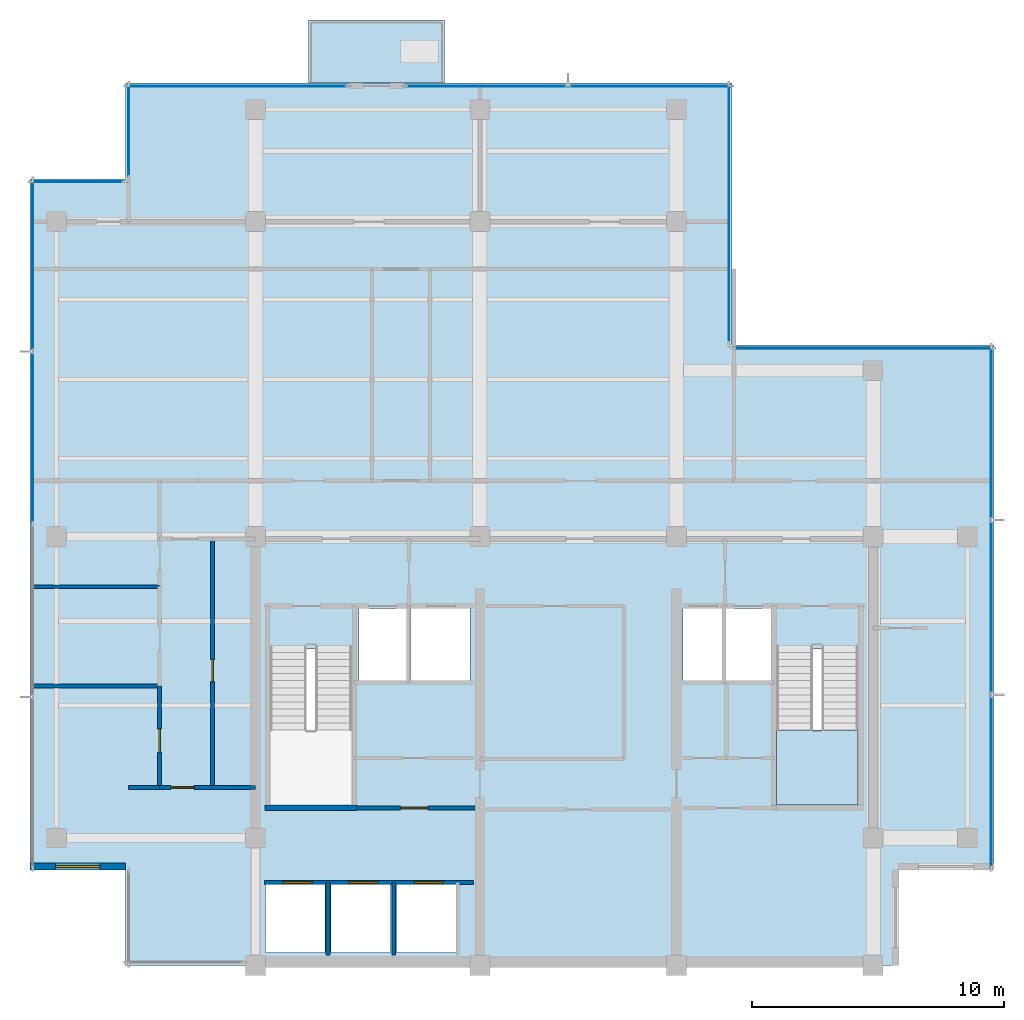
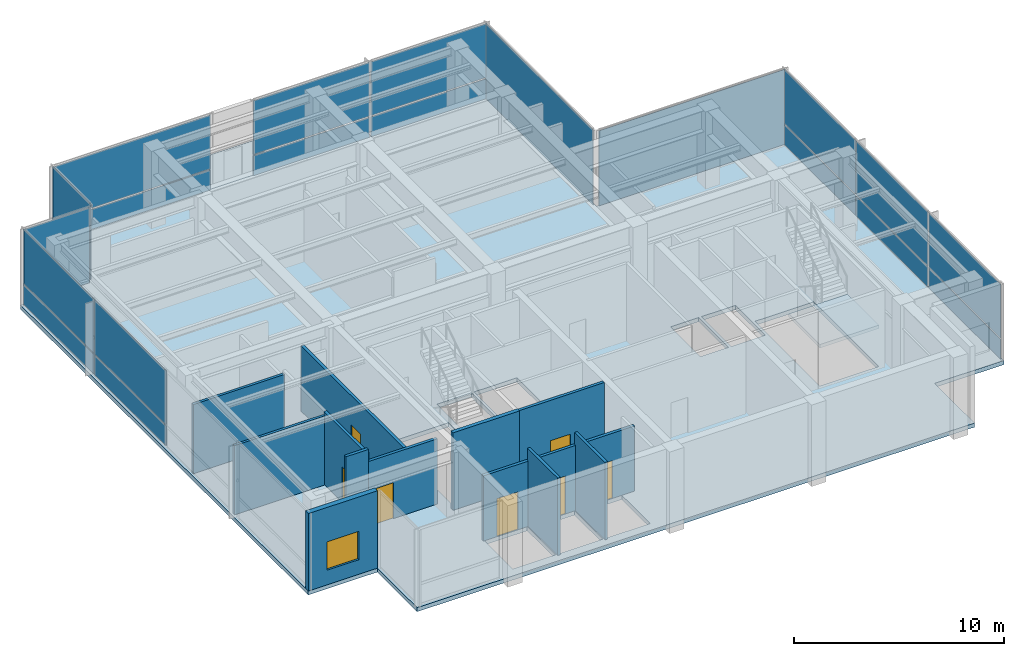
# One storey, part 5 of 11: 20 plates, 12 walls, 7 doors, 3 slabs, 1 window, 8 openings, 9 elements without a shape of their own.
"""IFC4 building model written with IfcOpenShell, lengths in metres."""

import ifcopenshell
import ifcopenshell.guid

model = None  # the IFC model being written
_history = None  # IfcOwnerHistory: only IFC2X3 demands one
_inside = {}  # id of a spatial element -> (the spatial element, [elements in it])
_under = {}  # id of a project, library or spatial element -> (it, [spatial elements below it])
_declared = {}  # id of a project -> (the project, [libraries it declares])
_typed = {}  # id of a type object -> (the type object, [elements of that type])
_made_of = {}  # id of a material, layer set ... -> (it, [elements and type objects made of it])


def new_model(schema):
    """Start an empty IFC model of exactly this schema.

    Asked for "IFC4X3", IfcOpenShell would pick the latest addendum, in which some entities
    have other attributes; the version numbers below select the first issue.
    IFC2X3 requires an IfcOwnerHistory on every rooted entity: one is made here for all.
    """
    global model, _history
    if schema == "IFC4X3":
        model = ifcopenshell.file(schema_version=(4, 3, 0, 0))
    else:
        model = ifcopenshell.file(schema=schema)
    _inside.clear()
    _under.clear()
    _declared.clear()
    _typed.clear()
    _made_of.clear()
    _history = None
    if model.schema == "IFC2X3":
        org = make("IfcOrganization", Name="unknown")
        user = make(
            "IfcPersonAndOrganization",
            ThePerson=make("IfcPerson", FamilyName="unknown"),
            TheOrganization=org,
        )
        app = make(
            "IfcApplication",
            ApplicationDeveloper=org,
            Version="unknown",
            ApplicationFullName="unknown",
            ApplicationIdentifier="unknown",
        )
        _history = make(
            "IfcOwnerHistory",
            OwningUser=user,
            OwningApplication=app,
            ChangeAction="ADDED",
            CreationDate=0,
        )
    return model


def make(cls, **values):
    """One entity of the class cls with the attributes given. An attribute that is None is left unset."""
    return model.create_entity(
        cls, **{name: value for name, value in values.items() if value is not None}
    )


def rooted(cls, **values):
    """An entity with a GlobalId (a new one), such as an element, a storey or a relation."""
    return make(cls, GlobalId=ifcopenshell.guid.new(), OwnerHistory=_history, **values)


def si_unit(unit_type, name, prefix=None):
    """IfcSIUnit, for example si_unit("LENGTHUNIT", "METRE", prefix="MILLI")."""
    return make("IfcSIUnit", UnitType=unit_type, Prefix=prefix, Name=name)


def assignment(units):
    """IfcUnitAssignment: the units of a project."""
    return None if units is None else make("IfcUnitAssignment", Units=units)


def point(xyz):
    """IfcCartesianPoint."""
    return None if xyz is None else make("IfcCartesianPoint", Coordinates=xyz)


def direction(xyz):
    """IfcDirection."""
    return None if xyz is None else make("IfcDirection", DirectionRatios=xyz)


def frame(location, z_axis=None, x_axis=None):
    """IfcAxis2Placement3D, a coordinate frame: its origin and axes. An axis left out is left unset."""
    return make(
        "IfcAxis2Placement3D",
        Location=point(location),
        Axis=direction(z_axis),
        RefDirection=direction(x_axis),
    )


def frame_2d(location, x_axis=None):
    """IfcAxis2Placement2D, a coordinate frame in the plane: its origin and x axis."""
    return make(
        "IfcAxis2Placement2D", Location=point(location), RefDirection=direction(x_axis)
    )


def origin():
    """The frame at (0, 0, 0) with its axes left unset."""
    return frame((0.0, 0.0, 0.0))


def origin_2d():
    """The frame at (0, 0) in the plane with its x axis left unset."""
    return frame_2d((0.0, 0.0))


def place(relative_to, where):
    """IfcLocalPlacement: puts the frame where relative to a parent placement (None: the world)."""
    return make(
        "IfcLocalPlacement", PlacementRelTo=relative_to, RelativePlacement=where
    )


def context(
    kind, dimensions, precision=None, world=None, true_north=None, identifier=None
):
    """IfcGeometricRepresentationContext, for example the 3D "Model" context."""
    return make(
        "IfcGeometricRepresentationContext",
        ContextIdentifier=identifier,
        ContextType=kind,
        CoordinateSpaceDimension=dimensions,
        Precision=precision,
        WorldCoordinateSystem=world,
        TrueNorth=true_north,
    )


def subcontext(parent, identifier, kind, view, scale=None):
    """IfcGeometricRepresentationSubContext, for example "Body" below "Model"."""
    return make(
        "IfcGeometricRepresentationSubContext",
        ContextIdentifier=identifier,
        ContextType=kind,
        ParentContext=parent,
        TargetScale=scale,
        TargetView=view,
    )


def project(units=None, contexts=None):
    """IfcProject with its units and contexts."""
    return rooted(
        "IfcProject",
        Name="project",
        RepresentationContexts=contexts,
        UnitsInContext=assignment(units),
    )


def spatial(cls, under=None, at=None, **own):
    """A site, building, storey or space (cls), placed at a placement, below another one or the project."""
    s = rooted(cls, ObjectPlacement=at, **own)
    if under is not None:
        _under.setdefault(under.id(), (under, []))[1].append(s)
    return s


def polyline(points):
    """IfcPolyline through the points."""
    return make("IfcPolyline", Points=[point(p) for p in points])


def profile(cls, at=None, kind="AREA", **sizes):
    """A parametric profile (cls). Its sizes go by their IFC names, for example OverallWidth=200.0."""
    return make(cls, ProfileType=kind, Position=at, **sizes)


def rectangle(**sizes):
    """IfcRectangleProfileDef."""
    return profile("IfcRectangleProfileDef", **sizes)


def outline(outer, holes=None, kind="AREA"):
    """IfcArbitraryClosedProfileDef: a profile drawn as a closed curve; with holes, ...WithVoids."""
    if holes is None:
        return make("IfcArbitraryClosedProfileDef", ProfileType=kind, OuterCurve=outer)
    return make(
        "IfcArbitraryProfileDefWithVoids",
        ProfileType=kind,
        OuterCurve=outer,
        InnerCurves=holes,
    )


def extrude(swept, where, along, depth):
    """IfcExtrudedAreaSolid: the profile swept, set in the frame where, extruded along a direction by depth."""
    return make(
        "IfcExtrudedAreaSolid",
        SweptArea=swept,
        Position=where,
        ExtrudedDirection=direction(along),
        Depth=depth,
    )


def shape(context_of_items, identifier, shape_type, items):
    """IfcShapeRepresentation: the items that make up one representation, for example the "Body"."""
    return make(
        "IfcShapeRepresentation",
        ContextOfItems=context_of_items,
        RepresentationIdentifier=identifier,
        RepresentationType=shape_type,
        Items=items,
    )


def material(Name=None, Category=None):
    """IfcMaterial."""
    return make("IfcMaterial", Name=Name, Category=Category)


def layer(
    of_material, thickness, ventilated=None, Name=None, Category=None, Priority=None
):
    """IfcMaterialLayer: one layer of a wall or slab, of a material (None: an air gap)."""
    return make(
        "IfcMaterialLayer",
        Material=of_material,
        LayerThickness=thickness,
        IsVentilated=ventilated,
        Name=Name,
        Category=Category,
        Priority=Priority,
    )


def layer_set(layers, Name=None):
    """IfcMaterialLayerSet."""
    return make("IfcMaterialLayerSet", MaterialLayers=layers, LayerSetName=Name)


def made_of(thing, what):
    """Note that an element or type object is made of a material, layer set ...; save() writes the relation."""
    if what is not None:
        _made_of.setdefault(what.id(), (what, []))[1].append(thing)
    return thing


def type_object(cls, material=None, **own):
    """A type object (cls), such as IfcWallType, which elements share."""
    return made_of(rooted(cls, **own), material)


def element(
    cls,
    number,
    at=None,
    inside=None,
    cuts=None,
    type_object=None,
    material=None,
    context=None,
    identifier="Body",
    shape_type=None,
    held_by="IfcProductDefinitionShape",
    body=None,
    shapes=None,
    **own,
):
    """One element of the class cls, such as IfcWall. Its Tag is "e" and its number.

    at: its placement. inside: the storey or other place that contains it. cuts: it is an
    opening in that element (IfcRelVoidsElement). A single representation is given by context,
    identifier, shape_type and body (its items); several are given by shapes. held_by: the class
    of the entity that holds the representations. save() writes the other relations.
    """
    e = rooted(cls, Tag="e%d" % number, ObjectPlacement=at, **own)
    if body is not None:
        shapes = [shape(context, identifier, shape_type, body)]
    if shapes is not None:
        e.Representation = make(held_by, Representations=shapes)
    if inside is not None:
        _inside.setdefault(inside.id(), (inside, []))[1].append(e)
    if cuts is not None:
        rooted(
            "IfcRelVoidsElement", RelatingBuildingElement=cuts, RelatedOpeningElement=e
        )
    if type_object is not None:
        _typed.setdefault(type_object.id(), (type_object, []))[1].append(e)
    return made_of(e, material)


def fill(opening, filler):
    """IfcRelFillsElement: the door or window that sits in an opening."""
    return rooted(
        "IfcRelFillsElement",
        RelatingOpeningElement=opening,
        RelatedBuildingElement=filler,
    )


def aggregate(whole, parts):
    """IfcRelAggregates: a whole, such as a stair, and the parts it consists of."""
    return rooted("IfcRelAggregates", RelatingObject=whole, RelatedObjects=parts)


def save(model, path):
    """Write the relations noted so far, then the file.

    IfcRelAggregates (storeys below a building ...), IfcRelContainedInSpatialStructure (elements
    in a storey), IfcRelDefinesByType, IfcRelAssociatesMaterial and IfcRelDeclares: one each for
    every whole, place, type object, material and project.
    """
    for whole, parts in _under.values():
        aggregate(whole, parts)
    for where, things in _inside.values():
        rooted(
            "IfcRelContainedInSpatialStructure",
            RelatedElements=things,
            RelatingStructure=where,
        )
    for kind, things in _typed.values():
        rooted("IfcRelDefinesByType", RelatedObjects=things, RelatingType=kind)
    for what, things in _made_of.values():
        rooted("IfcRelAssociatesMaterial", RelatedObjects=things, RelatingMaterial=what)
    for by, libraries in _declared.values():
        rooted("IfcRelDeclares", RelatingContext=by, RelatedDefinitions=libraries)
    model.write(path)


model = new_model("IFC4")

# Units and contexts
model_context = context("Model", 3, precision=1e-05, world=origin(), true_north=direction((0.0, 1.0)))
body_context = subcontext(model_context, "Body", "Model", "MODEL_VIEW")
ifc_project = project(units=[si_unit("LENGTHUNIT", "METRE"), si_unit("AREAUNIT", "SQUARE_METRE"), si_unit("VOLUMEUNIT", "CUBIC_METRE"), si_unit("PLANEANGLEUNIT", "RADIAN"), si_unit("MASSUNIT", "GRAM", prefix="KILO")], contexts=[model_context])

# Site, building, storey
site_placement = place(None, origin())
site = spatial("IfcSite", under=ifc_project, at=site_placement, CompositionType="ELEMENT")
building_placement = place(site_placement, origin())
building = spatial("IfcBuilding", under=site, at=building_placement, Name="Qalmaran Belvedere Hotel", CompositionType="ELEMENT")
storey_placement = place(building_placement, frame((0.0, 0.0, 293.89990234375)))
storey = spatial("IfcBuildingStorey", under=building, at=storey_placement, Name="L76", CompositionType="ELEMENT", Elevation=293.89990234375)

# Curtain wall, plates
ifc_material_1 = material(Name="Anodised Bronze Aluminium", Category="aluminium")
ifc_layer_1 = layer(ifc_material_1, 0.205078125, Name="Anodised Bronze Aluminium")
ifc_layer_set_1 = layer_set([ifc_layer_1], Name="Anodised Bronze Aluminium")
curtain_wall_type = type_object("IfcCurtainWallType", Name="CW7-CROWN-BELVEDERE", PredefinedType="NOTDEFINED", material=ifc_layer_set_1)
curtain_wall_1_placement = place(storey_placement, origin())
curtain_wall_1 = element("IfcCurtainWall", 1, at=curtain_wall_1_placement, inside=storey, type_object=curtain_wall_type, Name="L76 Curtain Wall CW7", PredefinedType="NOTDEFINED")
ifc_material_2 = material(Name="Anodised Bronze Spandrel Panel")
ifc_layer_2 = layer(ifc_material_2, 0.035888671875, Name="Anodised Bronze Spandrel Panel")
ifc_layer_set_2 = layer_set([ifc_layer_2], Name="Anodised Bronze Spandrel Panel")
plate_type_1 = type_object("IfcPlateType", Name="CWP-SPANDREL-36", PredefinedType="CURTAIN_PANEL", material=ifc_layer_set_2)
plate_1_placement = place(storey_placement, frame((49.47998046875, 10.785400390625, 0.0703125), z_axis=(0.0, 0.0, 1.0), x_axis=(0.0, 1.0, 0.0)))
plate_1 = element("IfcPlate", 2, at=plate_1_placement, type_object=plate_type_1, Name="CW7 panel 1.1", PredefinedType="CURTAIN_PANEL", context=body_context, shape_type="SweptSolid", body=[
    extrude(rectangle(XDim=6.82080078125, YDim=0.035888671875, at=origin_2d()), origin(), (0.0, 0.0, 1.0), 1.155029296875),
])
plate_2_placement = place(storey_placement, frame((49.47998046875, 17.699951171875, 0.0703125), z_axis=(0.0, 0.0, 1.0), x_axis=(0.0, 1.0, 0.0)))
plate_2 = element("IfcPlate", 3, at=plate_2_placement, type_object=plate_type_1, Name="CW7 panel 2.1", PredefinedType="CURTAIN_PANEL", context=body_context, shape_type="SweptSolid", body=[
    extrude(rectangle(XDim=6.8583984375, YDim=0.035888671875, at=origin_2d()), origin(), (0.0, 0.0, 1.0), 1.155029296875),
])
plate_3_placement = place(storey_placement, frame((49.47998046875, 24.614501953125, 0.0703125), z_axis=(0.0, 0.0, 1.0), x_axis=(0.0, 1.0, 0.0)))
plate_3 = element("IfcPlate", 4, at=plate_3_placement, type_object=plate_type_1, Name="CW7 panel 3.1", PredefinedType="CURTAIN_PANEL", context=body_context, shape_type="SweptSolid", body=[
    extrude(rectangle(XDim=6.82080078125, YDim=0.035888671875, at=origin_2d()), origin(), (0.0, 0.0, 1.0), 1.155029296875),
])

# Curtain wall, plate
curtain_wall_2_placement = place(storey_placement, origin())
curtain_wall_2 = element("IfcCurtainWall", 5, at=curtain_wall_2_placement, inside=storey, type_object=curtain_wall_type, Name="L76 Curtain Wall CW7", PredefinedType="NOTDEFINED")
plate_4_placement = place(storey_placement, frame((19.574951171875, 38.3798828125, 0.0703125), z_axis=(0.0, 0.0, 1.0), x_axis=(-1.0, 0.0, 0.0)))
plate_4 = element("IfcPlate", 6, at=plate_4_placement, type_object=plate_type_1, Name="CW7 panel 1.1", PredefinedType="CURTAIN_PANEL", context=body_context, shape_type="SweptSolid", body=[
    extrude(rectangle(XDim=8.699951171875, YDim=0.035888671875, at=origin_2d()), origin(), (0.0, 0.0, 1.0), 1.155029296875),
])

# Curtain wall, plates
curtain_wall_3_placement = place(storey_placement, origin())
curtain_wall_3 = element("IfcCurtainWall", 7, at=curtain_wall_3_placement, inside=storey, type_object=curtain_wall_type, Name="L76 Curtain Wall CW7", PredefinedType="NOTDEFINED")
plate_5_placement = place(storey_placement, frame((35.93115234375, 38.3798828125, 0.0703125), z_axis=(0.0, 0.0, 1.0), x_axis=(-1.0, 0.0, 0.0)))
plate_5 = element("IfcPlate", 8, at=plate_5_placement, type_object=plate_type_1, Name="CW7 panel 1.1", PredefinedType="CURTAIN_PANEL", context=body_context, shape_type="SweptSolid", body=[
    extrude(rectangle(XDim=6.387451171875, YDim=0.035888671875, at=origin_2d()), origin(), (0.0, 0.0, 1.0), 1.155029296875),
])
plate_6_placement = place(storey_placement, frame((29.46875, 38.3798828125, 0.0703125), z_axis=(0.0, 0.0, 1.0), x_axis=(-1.0, 0.0, 0.0)))
plate_6 = element("IfcPlate", 9, at=plate_6_placement, type_object=plate_type_1, Name="CW7 panel 2.1", PredefinedType="CURTAIN_PANEL", context=body_context, shape_type="SweptSolid", body=[
    extrude(rectangle(XDim=6.387451171875, YDim=0.035888671875, at=origin_2d()), origin(), (0.0, 0.0, 1.0), 1.155029296875),
])

curtain_wall_4_placement = place(storey_placement, origin())
curtain_wall_4 = element("IfcCurtainWall", 10, at=curtain_wall_4_placement, inside=storey, type_object=curtain_wall_type, Name="L76 Curtain Wall CW7", PredefinedType="NOTDEFINED")
plate_7_placement = place(storey_placement, frame((11.469970703125, 31.25634765625, 0.0703125), z_axis=(0.0, 0.0, 1.0), x_axis=(0.0, -1.0, 0.0)))
plate_7 = element("IfcPlate", 11, at=plate_7_placement, type_object=plate_type_1, Name="CW7 panel 1.1", PredefinedType="CURTAIN_PANEL", context=body_context, shape_type="SweptSolid", body=[
    extrude(rectangle(XDim=6.737548828125, YDim=0.035888671875, at=origin_2d()), origin(), (0.0, 0.0, 1.0), 1.155029296875),
])
plate_8_placement = place(storey_placement, frame((11.469970703125, 24.425048828125, 0.0703125), z_axis=(0.0, 0.0, 1.0), x_axis=(0.0, -1.0, 0.0)))
plate_8 = element("IfcPlate", 12, at=plate_8_placement, type_object=plate_type_1, Name="CW7 panel 2.1", PredefinedType="CURTAIN_PANEL", context=body_context, shape_type="SweptSolid", body=[
    extrude(rectangle(XDim=6.77490234375, YDim=0.035888671875, at=origin_2d()), origin(), (0.0, 0.0, 1.0), 1.155029296875),
])

# Plate
ifc_material_3 = material(Name="Solar-Control Double Glazing", Category="glass")
ifc_layer_3 = layer(ifc_material_3, 0.028076171875, Name="Solar-Control Double Glazing")
ifc_layer_set_3 = layer_set([ifc_layer_3], Name="Solar-Control Double Glazing")
plate_type_2 = type_object("IfcPlateType", Name="CWP-VISION-28", PredefinedType="CURTAIN_PANEL", material=ifc_layer_set_3)
plate_9_placement = place(storey_placement, frame((49.47998046875, 10.785400390625, 1.294921875), z_axis=(0.0, 0.0, 1.0), x_axis=(0.0, 1.0, 0.0)))
plate_9 = element("IfcPlate", 13, at=plate_9_placement, type_object=plate_type_2, Name="CW7 panel 1.2", PredefinedType="CURTAIN_PANEL", context=body_context, shape_type="SweptSolid", body=[
    extrude(rectangle(XDim=6.82080078125, YDim=0.028076171875, at=origin_2d()), origin(), (0.0, 0.0, 1.0), 3.135009765625),
])

plate_10_placement = place(storey_placement, frame((49.47998046875, 17.699951171875, 1.294921875), z_axis=(0.0, 0.0, 1.0), x_axis=(0.0, 1.0, 0.0)))
plate_10 = element("IfcPlate", 14, at=plate_10_placement, type_object=plate_type_2, Name="CW7 panel 2.2", PredefinedType="CURTAIN_PANEL", context=body_context, shape_type="SweptSolid", body=[
    extrude(rectangle(XDim=6.8583984375, YDim=0.028076171875, at=origin_2d()), origin(), (0.0, 0.0, 1.0), 3.135009765625),
])

plate_11_placement = place(storey_placement, frame((49.47998046875, 24.614501953125, 1.294921875), z_axis=(0.0, 0.0, 1.0), x_axis=(0.0, 1.0, 0.0)))
plate_11 = element("IfcPlate", 15, at=plate_11_placement, type_object=plate_type_2, Name="CW7 panel 3.2", PredefinedType="CURTAIN_PANEL", context=body_context, shape_type="SweptSolid", body=[
    extrude(rectangle(XDim=6.82080078125, YDim=0.028076171875, at=origin_2d()), origin(), (0.0, 0.0, 1.0), 3.135009765625),
])

aggregate(curtain_wall_1, [plate_1, plate_9, plate_2, plate_10, plate_3, plate_11])

# Curtain wall, plate
curtain_wall_5_placement = place(storey_placement, origin())
curtain_wall_5 = element("IfcCurtainWall", 16, at=curtain_wall_5_placement, inside=storey, type_object=curtain_wall_type, Name="L76 Curtain Wall CW7", PredefinedType="NOTDEFINED")
plate_12_placement = place(storey_placement, frame((44.39990234375, 27.97998046875, 0.06982421875), z_axis=(0.0, 0.0, 1.0), x_axis=(-1.0, 0.0, 0.0)))
plate_12 = element("IfcPlate", 17, at=plate_12_placement, type_object=plate_type_2, Name="CW7 panel 1.1", PredefinedType="CURTAIN_PANEL", context=body_context, shape_type="SweptSolid", body=[
    extrude(rectangle(XDim=10.25, YDim=0.028076171875, at=origin_2d()), origin(), (0.0, 0.0, 1.0), 4.360107421875),
])
aggregate(curtain_wall_5, [plate_12])

curtain_wall_6_placement = place(storey_placement, origin())
curtain_wall_6 = element("IfcCurtainWall", 18, at=curtain_wall_6_placement, inside=storey, type_object=curtain_wall_type, Name="L76 Curtain Wall CW7", PredefinedType="NOTDEFINED")
plate_13_placement = place(storey_placement, frame((39.080078125, 33.300048828125, 0.06982421875), z_axis=(0.0, 0.0, 1.0), x_axis=(0.0, 1.0, 0.0)))
plate_13 = element("IfcPlate", 19, at=plate_13_placement, type_object=plate_type_2, Name="CW7 panel 1.1", PredefinedType="CURTAIN_PANEL", context=body_context, shape_type="SweptSolid", body=[
    extrude(rectangle(XDim=10.25, YDim=0.028076171875, at=origin_2d()), origin(), (0.0, 0.0, 1.0), 4.360107421875),
])
aggregate(curtain_wall_6, [plate_13])

# Plate
plate_14_placement = place(storey_placement, frame((19.574951171875, 38.3798828125, 1.294921875), z_axis=(0.0, 0.0, 1.0), x_axis=(-1.0, 0.0, 0.0)))
plate_14 = element("IfcPlate", 20, at=plate_14_placement, type_object=plate_type_2, Name="CW7 panel 1.2", PredefinedType="CURTAIN_PANEL", context=body_context, shape_type="SweptSolid", body=[
    extrude(rectangle(XDim=8.699951171875, YDim=0.028076171875, at=origin_2d()), origin(), (0.0, 0.0, 1.0), 3.135009765625),
])

aggregate(curtain_wall_2, [plate_4, plate_14])

plate_15_placement = place(storey_placement, frame((35.93115234375, 38.3798828125, 1.294921875), z_axis=(0.0, 0.0, 1.0), x_axis=(-1.0, 0.0, 0.0)))
plate_15 = element("IfcPlate", 21, at=plate_15_placement, type_object=plate_type_2, Name="CW7 panel 1.2", PredefinedType="CURTAIN_PANEL", context=body_context, shape_type="SweptSolid", body=[
    extrude(rectangle(XDim=6.387451171875, YDim=0.028076171875, at=origin_2d()), origin(), (0.0, 0.0, 1.0), 3.135009765625),
])

plate_16_placement = place(storey_placement, frame((29.46875, 38.3798828125, 1.294921875), z_axis=(0.0, 0.0, 1.0), x_axis=(-1.0, 0.0, 0.0)))
plate_16 = element("IfcPlate", 22, at=plate_16_placement, type_object=plate_type_2, Name="CW7 panel 2.2", PredefinedType="CURTAIN_PANEL", context=body_context, shape_type="SweptSolid", body=[
    extrude(rectangle(XDim=6.387451171875, YDim=0.028076171875, at=origin_2d()), origin(), (0.0, 0.0, 1.0), 3.135009765625),
])

aggregate(curtain_wall_3, [plate_5, plate_15, plate_6, plate_16])

# Curtain wall, plate
curtain_wall_7_placement = place(storey_placement, origin())
curtain_wall_7 = element("IfcCurtainWall", 23, at=curtain_wall_7_placement, inside=storey, type_object=curtain_wall_type, Name="L76 Curtain Wall CW7", PredefinedType="NOTDEFINED")
plate_17_placement = place(storey_placement, frame((15.27001953125, 36.60009765625, 0.06982421875), z_axis=(0.0, 0.0, 1.0), x_axis=(0.0, -1.0, 0.0)))
plate_17 = element("IfcPlate", 24, at=plate_17_placement, type_object=plate_type_2, Name="CW7 panel 1.1", PredefinedType="CURTAIN_PANEL", context=body_context, shape_type="SweptSolid", body=[
    extrude(rectangle(XDim=3.64990234375, YDim=0.028076171875, at=origin_2d()), origin(), (0.0, 0.0, 1.0), 4.360107421875),
])
aggregate(curtain_wall_7, [plate_17])

curtain_wall_8_placement = place(storey_placement, origin())
curtain_wall_8 = element("IfcCurtainWall", 25, at=curtain_wall_8_placement, inside=storey, type_object=curtain_wall_type, Name="L76 Curtain Wall CW7", PredefinedType="NOTDEFINED")
plate_18_placement = place(storey_placement, frame((13.25, 34.580078125, 0.06982421875), z_axis=(0.0, 0.0, 1.0), x_axis=(-1.0, 0.0, 0.0)))
plate_18 = element("IfcPlate", 26, at=plate_18_placement, type_object=plate_type_2, Name="CW7 panel 1.1", PredefinedType="CURTAIN_PANEL", context=body_context, shape_type="SweptSolid", body=[
    extrude(rectangle(XDim=3.64990234375, YDim=0.028076171875, at=origin_2d()), origin(), (0.0, 0.0, 1.0), 4.360107421875),
])
aggregate(curtain_wall_8, [plate_18])

# Plate
plate_19_placement = place(storey_placement, frame((11.469970703125, 31.25634765625, 1.294921875), z_axis=(0.0, 0.0, 1.0), x_axis=(0.0, -1.0, 0.0)))
plate_19 = element("IfcPlate", 27, at=plate_19_placement, type_object=plate_type_2, Name="CW7 panel 1.2", PredefinedType="CURTAIN_PANEL", context=body_context, shape_type="SweptSolid", body=[
    extrude(rectangle(XDim=6.737548828125, YDim=0.028076171875, at=origin_2d()), origin(), (0.0, 0.0, 1.0), 3.135009765625),
])

plate_20_placement = place(storey_placement, frame((11.469970703125, 24.425048828125, 1.294921875), z_axis=(0.0, 0.0, 1.0), x_axis=(0.0, -1.0, 0.0)))
plate_20 = element("IfcPlate", 28, at=plate_20_placement, type_object=plate_type_2, Name="CW7 panel 2.2", PredefinedType="CURTAIN_PANEL", context=body_context, shape_type="SweptSolid", body=[
    extrude(rectangle(XDim=6.77490234375, YDim=0.028076171875, at=origin_2d()), origin(), (0.0, 0.0, 1.0), 3.135009765625),
])

aggregate(curtain_wall_4, [plate_7, plate_19, plate_8, plate_20])

# Slab
ifc_material_4 = material(Name="Concrete C40/50", Category="concrete")
ifc_layer_4 = layer(ifc_material_4, 0.219970703125, Name="Concrete C40/50")
ifc_layer_set_4 = layer_set([ifc_layer_4], Name="Concrete C40/50")
slab_type_1 = type_object("IfcSlabType", Name="SLB-BAL-220", PredefinedType="USERDEFINED", material=ifc_layer_set_4)
slab_1_placement = place(storey_placement, frame((0.0, 0.0, -0.219970703125)))
element("IfcSlab", 29, at=slab_1_placement, inside=storey, type_object=slab_type_1, Name="L76 Planted Tree Balcony Slab 1", ObjectType="BALCONY", PredefinedType="USERDEFINED", context=body_context, shape_type="SweptSolid", body=[
    extrude(outline(polyline([(22.39990234375, 38.5), (27.800048828125, 38.5), (27.800048828125, 41.0), (22.39990234375, 41.0), (22.39990234375, 38.5)])), origin(), (0.0, 0.0, 1.0), 0.219970703125),
])

# Stair, slab
stair_type = type_object("IfcStairType", Name="STR-ST-2-1450-R1846", PredefinedType="HALF_TURN_STAIR", material=ifc_material_4)
stair_placement = place(storey_placement, origin())
stair = element("IfcStair", 30, at=stair_placement, inside=storey, type_object=stair_type, Name="L76 East Core Exit Stair ST-2", PredefinedType="HALF_TURN_STAIR")
ifc_layer_5 = layer(ifc_material_4, 0.199951171875, Name="Concrete C40/50")
ifc_layer_set_5 = layer_set([ifc_layer_5], Name="Concrete C40/50")
slab_type_2 = type_object("IfcSlabType", Name="SLB-STAIR-LANDING-200", PredefinedType="LANDING", material=ifc_layer_set_5)
slab_2_placement = place(storey_placement, frame((0.0, 0.0, 2.2001953125)))
slab_2 = element("IfcSlab", 31, at=slab_2_placement, type_object=slab_type_2, Name="ST-2 landing 1", PredefinedType="LANDING", context=body_context, shape_type="SweptSolid", body=[
    extrude(outline(polyline([(40.9599609375, 12.830078125), (40.9599609375, 9.85009765625), (44.199951171875, 9.85009765625), (44.199951171875, 12.830078125), (40.9599609375, 12.830078125)])), origin(), (0.0, 0.0, 1.0), 0.199951171875),
])
aggregate(stair, [slab_2])

# Slab
ifc_layer_6 = layer(ifc_material_4, 0.239990234375, Name="Concrete C40/50")
ifc_layer_set_6 = layer_set([ifc_layer_6], Name="Concrete C40/50")
slab_type_3 = type_object("IfcSlabType", Name="SLB-Z4-240", PredefinedType="FLOOR", material=ifc_layer_set_6)
slab_3_placement = place(storey_placement, frame((0.0, 0.0, -0.239990234375)))
element("IfcSlab", 32, at=slab_3_placement, inside=storey, type_object=slab_type_3, Name="L76 Structural Floor Slab", PredefinedType="FLOOR", context=body_context, shape_type="SweptSolid", body=[
    extrude(outline(polyline([(15.14990234375, 3.5), (45.800048828125, 3.5), (45.800048828125, 7.300048828125), (49.60009765625, 7.300048828125), (49.60009765625, 28.10009765625), (39.199951171875, 28.10009765625), (39.199951171875, 38.5), (15.14990234375, 38.5), (15.14990234375, 34.699951171875), (11.35009765625, 34.699951171875), (11.35009765625, 7.300048828125), (15.14990234375, 7.300048828125), (15.14990234375, 3.5)]), holes=[polyline([(20.8798828125, 9.85009765625), (24.1201171875, 9.85009765625), (24.1201171875, 16.0400390625), (20.8798828125, 16.0400390625), (20.8798828125, 9.85009765625)]), polyline([(40.9599609375, 9.85009765625), (44.199951171875, 9.85009765625), (44.199951171875, 16.0400390625), (40.9599609375, 16.0400390625), (40.9599609375, 9.85009765625)]), polyline([(20.699951171875, 4.0), (23.050048828125, 4.0), (23.050048828125, 6.699951171875), (20.699951171875, 6.699951171875), (20.699951171875, 4.0)]), polyline([(23.300048828125, 4.0), (25.64990234375, 4.0), (25.64990234375, 6.699951171875), (23.300048828125, 6.699951171875), (23.300048828125, 4.0)]), polyline([(25.89990234375, 4.0), (28.25, 4.0), (28.25, 6.699951171875), (25.89990234375, 6.699951171875), (25.89990234375, 4.0)]), polyline([(24.39990234375, 14.800048828125), (26.300048828125, 14.800048828125), (26.300048828125, 17.64990234375), (24.39990234375, 17.64990234375), (24.39990234375, 14.800048828125)]), polyline([(38.949951171875, 14.800048828125), (40.820068359375, 14.800048828125), (40.820068359375, 17.64990234375), (38.949951171875, 17.64990234375), (38.949951171875, 14.800048828125)]), polyline([(26.449951171875, 14.800048828125), (28.800048828125, 14.800048828125), (28.800048828125, 17.64990234375), (26.449951171875, 17.64990234375), (26.449951171875, 14.800048828125)]), polyline([(37.25, 14.800048828125), (38.800048828125, 14.800048828125), (38.800048828125, 17.64990234375), (37.25, 17.64990234375), (37.25, 14.800048828125)])]), origin(), (0.0, 0.0, 1.0), 0.239990234375),
])

# Wall, opening, window
ifc_material_5 = material(Name="Anodised Bronze Cladding")
ifc_layer_7 = layer(ifc_material_5, 0.280029296875, Name="Anodised Bronze Cladding")
ifc_layer_set_7 = layer_set([ifc_layer_7], Name="Anodised Bronze Cladding")
wall_type_1 = type_object("IfcWallType", Name="WL-EXT-BRNZ-280", PredefinedType="SOLIDWALL", material=ifc_layer_set_7)
wall_1_placement = place(storey_placement, frame((11.35009765625, 7.419921875, 0.0), z_axis=(0.0, 0.0, 1.0), x_axis=(1.0, 0.0, 0.0)))
wall_1 = element("IfcWall", 33, at=wall_1_placement, inside=storey, type_object=wall_type_1, Name="L76 Corner Notch Wall 10", PredefinedType="SOLIDWALL", context=body_context, shape_type="SweptSolid", body=[
    extrude(rectangle(XDim=3.7998046875, YDim=0.280029296875, at=frame_2d((1.89990234375, 0.0))), origin(), (0.0, 0.0, 1.0), 4.5),
])
opening_1_placement = place(wall_1_placement, frame((1.02490234375, 0.0, 0.85009765625)))
opening_1 = element("IfcOpeningElement", 34, at=opening_1_placement, cuts=wall_1, Name="Opening W-N17", PredefinedType="OPENING", context=body_context, shape_type="SweptSolid", body=[
    extrude(rectangle(XDim=1.75, YDim=1.64990234375, at=frame_2d((0.875, 0.824951171875))), frame((0.0, 0.14990234375, 0.0), z_axis=(0.0, -1.0, 0.0), x_axis=(1.0, 0.0, 0.0)), (0.0, 0.0, 1.0), 0.300048828125),
])
window_type = type_object("IfcWindowType", Name="WN-NTC-1750X1650", PartitioningType="SINGLE_PANEL", PredefinedType="WINDOW", material=ifc_material_3)
window_placement = place(opening_1_placement, origin())
window = element("IfcWindow", 35, at=window_placement, inside=storey, type_object=window_type, Name="L76 Corner Notch Window 10", OverallHeight=1.64990234375, OverallWidth=1.75, PartitioningType="SINGLE_PANEL", PredefinedType="WINDOW", context=body_context, shape_type="SweptSolid", body=[
    extrude(rectangle(XDim=1.75, YDim=1.64990234375, at=frame_2d((0.875, 0.824951171875))), frame((0.0, 0.030029296875, 0.0), z_axis=(0.0, -1.0, 0.0), x_axis=(1.0, 0.0, 0.0)), (0.0, 0.0, 1.0), 0.06005859375),
])
fill(opening_1, window)

# Walls
ifc_material_6 = material(Name="Gypsum Stud Partition")
ifc_layer_8 = layer(ifc_material_6, 0.139892578125, Name="Gypsum Stud Partition")
ifc_layer_set_8 = layer_set([ifc_layer_8], Name="Gypsum Stud Partition")
wall_type_2 = type_object("IfcWallType", Name="WL-INT-140-NR", PredefinedType="PARTITIONING", material=ifc_layer_set_8)
for number, where, z_axis, x_axis, name in (
    (36, (11.469970703125, 14.580078125, 0.0), (0.0, 0.0, 1.0), (1.0, 0.0, 0.0), "L76 Partition WL-L76-WC1"),
    (37, (11.469970703125, 18.52001953125, 0.0), (0.0, 0.0, 1.0), (1.0, 0.0, 0.0), "L76 Partition WL-L76-WC2"),
):
    element("IfcWall", number, at=place(storey_placement, frame(where, z_axis=z_axis, x_axis=x_axis)), inside=storey, type_object=wall_type_2, Name=name, PredefinedType="PARTITIONING", context=body_context, shape_type="SweptSolid", body=[
        extrude(rectangle(XDim=5.030029296875, YDim=0.139892578125, at=frame_2d((2.51513671875, 0.0))), origin(), (0.0, 0.0, 1.0), 4.022216796875),
    ])
ifc_layer_9 = layer(ifc_material_6, 0.14990234375, Name="Gypsum Stud Partition")
ifc_layer_set_9 = layer_set([ifc_layer_9], Name="Gypsum Stud Partition")
wall_type_3 = type_object("IfcWallType", Name="WL-INT-150-EI120", PredefinedType="PARTITIONING", material=ifc_layer_set_9)
for number, where, z_axis, x_axis, name in (
    (38, (23.179931640625, 3.89990234375, 0.0), (0.0, 0.0, 1.0), (0.0, 1.0, 0.0), "L76 Partition WL-POM1-L76"),
    (39, (25.780029296875, 3.89990234375, 0.0), (0.0, 0.0, 1.0), (0.0, 1.0, 0.0), "L76 Partition WL-POM2-L76"),
):
    element("IfcWall", number, at=place(storey_placement, frame(where, z_axis=z_axis, x_axis=x_axis)), inside=storey, type_object=wall_type_3, Name=name, PredefinedType="PARTITIONING", context=body_context, shape_type="SweptSolid", body=[
        extrude(rectangle(XDim=2.880126953125, YDim=0.14990234375, at=frame_2d((1.43994140625, 0.0))), origin(), (0.0, 0.0, 1.0), 4.5),
    ])

# Wall, openings, doors
ifc_layer_10 = layer(ifc_material_6, 0.159912109375, Name="Gypsum Stud Partition")
ifc_layer_set_10 = layer_set([ifc_layer_10], Name="Gypsum Stud Partition")
wall_type_4 = type_object("IfcWallType", Name="WL-INT-160-EI120", PredefinedType="PARTITIONING", material=ifc_layer_set_10)
wall_2_placement = place(storey_placement, frame((20.64990234375, 6.780029296875, 0.0), z_axis=(0.0, 0.0, 1.0), x_axis=(1.0, 0.0, 0.0)))
wall_2 = element("IfcWall", 40, at=wall_2_placement, inside=storey, type_object=wall_type_4, Name="L76 Partition WL-POS-L76", PredefinedType="PARTITIONING", context=body_context, shape_type="SweptSolid", body=[
    extrude(rectangle(XDim=8.300048828125, YDim=0.159912109375, at=frame_2d((4.14990234375, 0.0))), origin(), (0.0, 0.0, 1.0), 3.7900390625),
])
opening_2_placement = place(wall_2_placement, frame((0.75, 0.0, 0.0)))
opening_2 = element("IfcOpeningElement", 41, at=opening_2_placement, cuts=wall_2, Name="Opening LD-PO", PredefinedType="OPENING", context=body_context, shape_type="SweptSolid", body=[
    extrude(rectangle(XDim=1.14990234375, YDim=2.199951171875, at=frame_2d((0.574951171875, 1.10009765625))), frame((0.0, 0.08984375, 0.0), z_axis=(0.0, -1.0, 0.0), x_axis=(1.0, 0.0, 0.0)), (0.0, 0.0, 1.0), 0.179931640625),
])
opening_3_placement = place(wall_2_placement, frame((3.35009765625, 0.0, 0.0)))
opening_3 = element("IfcOpeningElement", 42, at=opening_3_placement, cuts=wall_2, Name="Opening LD-PO", PredefinedType="OPENING", context=body_context, shape_type="SweptSolid", body=[
    extrude(rectangle(XDim=1.14990234375, YDim=2.199951171875, at=frame_2d((0.574951171875, 1.10009765625))), frame((0.0, 0.08984375, 0.0), z_axis=(0.0, -1.0, 0.0), x_axis=(1.0, 0.0, 0.0)), (0.0, 0.0, 1.0), 0.179931640625),
])
opening_4_placement = place(wall_2_placement, frame((5.949951171875, 0.0, 0.0)))
opening_4 = element("IfcOpeningElement", 43, at=opening_4_placement, cuts=wall_2, Name="Opening LD-PO", PredefinedType="OPENING", context=body_context, shape_type="SweptSolid", body=[
    extrude(rectangle(XDim=1.14990234375, YDim=2.199951171875, at=frame_2d((0.574951171875, 1.10009765625))), frame((0.0, 0.08984375, 0.0), z_axis=(0.0, -1.0, 0.0), x_axis=(1.0, 0.0, 0.0)), (0.0, 0.0, 1.0), 0.179931640625),
])
door_type_1 = type_object("IfcDoorType", Name="DR-LIFT-PO-1150X2200", OperationType="DOUBLE_DOOR_SLIDING", PredefinedType="DOOR", material=ifc_material_1)
door_1_placement = place(opening_2_placement, origin())
door_1 = element("IfcDoor", 44, at=door_1_placement, inside=storey, type_object=door_type_1, Name="L76 PO1 Shuttle Landing Door", OperationType="DOUBLE_DOOR_SLIDING", OverallHeight=2.199951171875, OverallWidth=1.14990234375, PredefinedType="DOOR", context=body_context, shape_type="SweptSolid", body=[
    extrude(rectangle(XDim=1.14990234375, YDim=2.199951171875, at=frame_2d((0.574951171875, 1.10009765625))), frame((0.0, 0.02490234375, 0.0), z_axis=(0.0, -1.0, 0.0), x_axis=(1.0, 0.0, 0.0)), (0.0, 0.0, 1.0), 0.050048828125),
])
fill(opening_2, door_1)
door_2_placement = place(opening_3_placement, origin())
door_2 = element("IfcDoor", 45, at=door_2_placement, inside=storey, type_object=door_type_1, Name="L76 PO2 Shuttle Landing Door", OperationType="DOUBLE_DOOR_SLIDING", OverallHeight=2.199951171875, OverallWidth=1.14990234375, PredefinedType="DOOR", context=body_context, shape_type="SweptSolid", body=[
    extrude(rectangle(XDim=1.14990234375, YDim=2.199951171875, at=frame_2d((0.574951171875, 1.10009765625))), frame((0.0, 0.02490234375, 0.0), z_axis=(0.0, -1.0, 0.0), x_axis=(1.0, 0.0, 0.0)), (0.0, 0.0, 1.0), 0.050048828125),
])
fill(opening_3, door_2)
door_3_placement = place(opening_4_placement, origin())
door_3 = element("IfcDoor", 46, at=door_3_placement, inside=storey, type_object=door_type_1, Name="L76 PO3 Shuttle Landing Door", OperationType="DOUBLE_DOOR_SLIDING", OverallHeight=2.199951171875, OverallWidth=1.14990234375, PredefinedType="DOOR", context=body_context, shape_type="SweptSolid", body=[
    extrude(rectangle(XDim=1.14990234375, YDim=2.199951171875, at=frame_2d((0.574951171875, 1.10009765625))), frame((0.0, 0.02490234375, 0.0), z_axis=(0.0, -1.0, 0.0), x_axis=(1.0, 0.0, 0.0)), (0.0, 0.0, 1.0), 0.050048828125),
])
fill(opening_4, door_3)

# Wall, opening, door
wall_3_placement = place(storey_placement, frame((24.199951171875, 9.739990234375, 0.0), z_axis=(0.0, 0.0, 1.0), x_axis=(1.0, 0.0, 0.0)))
wall_3 = element("IfcWall", 47, at=wall_3_placement, inside=storey, type_object=wall_type_4, Name="L76 Partition WL-PON-L76", PredefinedType="PARTITIONING", context=body_context, shape_type="SweptSolid", body=[
    extrude(rectangle(XDim=4.800048828125, YDim=0.159912109375, at=frame_2d((2.39990234375, 0.0))), origin(), (0.0, 0.0, 1.0), 4.5),
])
opening_5_placement = place(wall_3_placement, frame((1.85009765625, 0.0, 0.0)))
opening_5 = element("IfcOpeningElement", 48, at=opening_5_placement, cuts=wall_3, Name="Opening FD90", PredefinedType="OPENING", context=body_context, shape_type="SweptSolid", body=[
    extrude(rectangle(XDim=1.10009765625, YDim=2.14990234375, at=frame_2d((0.550048828125, 1.074951171875))), frame((0.0, 0.08984375, 0.0), z_axis=(0.0, -1.0, 0.0), x_axis=(1.0, 0.0, 0.0)), (0.0, 0.0, 1.0), 0.179931640625),
])
ifc_material_7 = material(Name="Steel S355JR", Category="steel")
door_type_2 = type_object("IfcDoorType", Name="DR-FD90-1100X2150", OperationType="NOTDEFINED", PredefinedType="DOOR", material=ifc_material_7)
door_4_placement = place(opening_5_placement, origin())
door_4 = element("IfcDoor", 49, at=door_4_placement, inside=storey, type_object=door_type_2, Name="L76 Shuttle Lobby Passage Door", OperationType="SINGLE_SWING_LEFT", OverallHeight=2.14990234375, OverallWidth=1.10009765625, PredefinedType="DOOR", context=body_context, shape_type="SweptSolid", body=[
    extrude(rectangle(XDim=1.10009765625, YDim=2.14990234375, at=frame_2d((0.550048828125, 1.074951171875))), frame((0.0, 0.02490234375, 0.0), z_axis=(0.0, -1.0, 0.0), x_axis=(1.0, 0.0, 0.0)), (0.0, 0.0, 1.0), 0.050048828125),
])
fill(opening_5, door_4)

# Wall
ifc_layer_11 = layer(ifc_material_6, 0.159912109375, Name="Gypsum Stud Partition")
ifc_layer_set_11 = layer_set([ifc_layer_11], Name="Gypsum Stud Partition")
wall_type_5 = type_object("IfcWallType", Name="WL-INT-160-EI60", PredefinedType="PARTITIONING", material=ifc_layer_set_11)
wall_4_placement = place(storey_placement, frame((15.27001953125, 10.550048828125, 0.0), z_axis=(0.0, 0.0, 1.0), x_axis=(1.0, 0.0, 0.0)))
element("IfcWall", 50, at=wall_4_placement, inside=storey, type_object=wall_type_5, Name="L76 Partition WL-L76-WCS1", PredefinedType="PARTITIONING", context=body_context, shape_type="SweptSolid", body=[
    extrude(rectangle(XDim=1.22998046875, YDim=0.159912109375, at=frame_2d((0.614990234375, 0.0))), origin(), (0.0, 0.0, 1.0), 4.5),
])

# Wall, opening, door
wall_5_placement = place(storey_placement, frame((16.5, 10.550048828125, 0.0), z_axis=(0.0, 0.0, 1.0), x_axis=(1.0, 0.0, 0.0)))
wall_5 = element("IfcWall", 51, at=wall_5_placement, inside=storey, type_object=wall_type_5, Name="L76 Partition WL-L76-WCS2", PredefinedType="PARTITIONING", context=body_context, shape_type="SweptSolid", body=[
    extrude(rectangle(XDim=3.800048828125, YDim=0.159912109375, at=frame_2d((1.89990234375, 0.0))), origin(), (0.0, 0.0, 1.0), 3.7900390625),
])
opening_6_placement = place(wall_5_placement, frame((1.369873046875, 0.0, 0.0), z_axis=(0.0, 0.0, 1.0), x_axis=(-1.0, 0.0, 0.0)))
opening_6 = element("IfcOpeningElement", 52, at=opening_6_placement, cuts=wall_5, Name="Opening FD60S1", PredefinedType="OPENING", context=body_context, shape_type="SweptSolid", body=[
    extrude(rectangle(XDim=0.919921875, YDim=2.080078125, at=frame_2d((0.4599609375, 1.0400390625))), frame((0.0, 0.08984375, 0.0), z_axis=(0.0, -1.0, 0.0), x_axis=(1.0, 0.0, 0.0)), (0.0, 0.0, 1.0), 0.179931640625),
])
ifc_material_8 = material(Name="Engineered Oak Veneer")
door_type_3 = type_object("IfcDoorType", Name="DR-FD60S-920X2080", OperationType="NOTDEFINED", PredefinedType="DOOR", material=ifc_material_8)
door_5_placement = place(opening_6_placement, origin())
door_5 = element("IfcDoor", 53, at=door_5_placement, inside=storey, type_object=door_type_3, Name="L76 Reading Lounge Door", OperationType="SINGLE_SWING_LEFT", OverallHeight=2.080078125, OverallWidth=0.919921875, PredefinedType="DOOR", context=body_context, shape_type="SweptSolid", body=[
    extrude(rectangle(XDim=0.919921875, YDim=2.080078125, at=frame_2d((0.4599609375, 1.0400390625))), frame((0.0, 0.02490234375, 0.0), z_axis=(0.0, -1.0, 0.0), x_axis=(1.0, 0.0, 0.0)), (0.0, 0.0, 1.0), 0.050048828125),
])
fill(opening_6, door_5)

wall_6_placement = place(storey_placement, frame((16.5, 10.550048828125, 0.0), z_axis=(0.0, 0.0, 1.0), x_axis=(0.0, 1.0, 0.0)))
wall_6 = element("IfcWall", 54, at=wall_6_placement, inside=storey, type_object=wall_type_5, Name="L76 Partition WL-L76-WCC1", PredefinedType="PARTITIONING", context=body_context, shape_type="SweptSolid", body=[
    extrude(rectangle(XDim=4.030029296875, YDim=0.159912109375, at=frame_2d((2.01513671875, 0.0))), origin(), (0.0, 0.0, 1.0), 4.238037109375),
])
opening_7_placement = place(wall_6_placement, frame((1.39990234375, 0.0, 0.0)))
opening_7 = element("IfcOpeningElement", 55, at=opening_7_placement, cuts=wall_6, Name="Opening FD60S1", PredefinedType="OPENING", context=body_context, shape_type="SweptSolid", body=[
    extrude(rectangle(XDim=0.919921875, YDim=2.080078125, at=frame_2d((0.4599609375, 1.0400390625))), frame((0.0, 0.08984375, 0.0), z_axis=(0.0, -1.0, 0.0), x_axis=(1.0, 0.0, 0.0)), (0.0, 0.0, 1.0), 0.179931640625),
])
door_6_placement = place(opening_7_placement, origin())
door_6 = element("IfcDoor", 56, at=door_6_placement, inside=storey, type_object=door_type_3, Name="L76 Male WC Door", OperationType="SINGLE_SWING_RIGHT", OverallHeight=2.080078125, OverallWidth=0.919921875, PredefinedType="DOOR", context=body_context, shape_type="SweptSolid", body=[
    extrude(rectangle(XDim=0.919921875, YDim=2.080078125, at=frame_2d((0.4599609375, 1.0400390625))), frame((0.0, 0.02490234375, 0.0), z_axis=(0.0, -1.0, 0.0), x_axis=(1.0, 0.0, 0.0)), (0.0, 0.0, 1.0), 0.050048828125),
])
fill(opening_7, door_6)

wall_7_placement = place(storey_placement, frame((18.60009765625, 10.550048828125, 0.0), z_axis=(0.0, 0.0, 1.0), x_axis=(0.0, 1.0, 0.0)))
wall_7 = element("IfcWall", 57, at=wall_7_placement, inside=storey, type_object=wall_type_5, Name="L76 Partition WL-L76-WCCE", PredefinedType="PARTITIONING", context=body_context, shape_type="SweptSolid", body=[
    extrude(rectangle(XDim=9.869873046875, YDim=0.159912109375, at=frame_2d((4.93505859375, 0.0))), origin(), (0.0, 0.0, 1.0), 3.7900390625),
])
opening_8_placement = place(wall_7_placement, frame((5.079833984375, 0.0, 0.0), z_axis=(0.0, 0.0, 1.0), x_axis=(-1.0, 0.0, 0.0)))
opening_8 = element("IfcOpeningElement", 58, at=opening_8_placement, cuts=wall_7, Name="Opening FD60B", PredefinedType="OPENING", context=body_context, shape_type="SweptSolid", body=[
    extrude(rectangle(XDim=0.8798828125, YDim=2.080078125, at=frame_2d((0.43994140625, 1.0400390625))), frame((0.0, 0.08984375, 0.0), z_axis=(0.0, -1.0, 0.0), x_axis=(1.0, 0.0, 0.0)), (0.0, 0.0, 1.0), 0.179931640625),
])
door_type_4 = type_object("IfcDoorType", Name="DR-FD60B-880X2080", OperationType="NOTDEFINED", PredefinedType="DOOR", material=ifc_material_7)
door_7_placement = place(opening_8_placement, origin())
door_7 = element("IfcDoor", 59, at=door_7_placement, inside=storey, type_object=door_type_4, Name="L76 Cloakroom Store Door", OperationType="SINGLE_SWING_LEFT", OverallHeight=2.080078125, OverallWidth=0.8798828125, PredefinedType="DOOR", context=body_context, shape_type="SweptSolid", body=[
    extrude(rectangle(XDim=0.8798828125, YDim=2.080078125, at=frame_2d((0.43994140625, 1.0400390625))), frame((0.0, 0.02490234375, 0.0), z_axis=(0.0, -1.0, 0.0), x_axis=(1.0, 0.0, 0.0)), (0.0, 0.0, 1.0), 0.050048828125),
])
fill(opening_8, door_7)

# Wall
ifc_material_9 = material(Name="Concrete C50/60", Category="concrete")
ifc_layer_12 = layer(ifc_material_9, 0.2099609375, Name="Concrete C50/60")
ifc_layer_set_12 = layer_set([ifc_layer_12], Name="Concrete C50/60")
wall_type_6 = type_object("IfcWallType", Name="WL-STAIR-210-C50", PredefinedType="SHEAR", material=ifc_layer_set_12)
wall_8_placement = place(storey_placement, frame((20.669921875, 9.7451171875, 0.0), z_axis=(0.0, 0.0, 1.0), x_axis=(1.0, 0.0, 0.0)))
element("IfcWall", 60, at=wall_8_placement, inside=storey, type_object=wall_type_6, Name="L76 Stair ST-1 South Bearing Wall", PredefinedType="SHEAR", context=body_context, shape_type="SweptSolid", body=[
    extrude(rectangle(XDim=3.66015625, YDim=0.2099609375, at=frame_2d((1.830078125, 0.0))), origin(), (0.0, 0.0, 1.0), 4.5),
])

save(model, "model.ifc")
